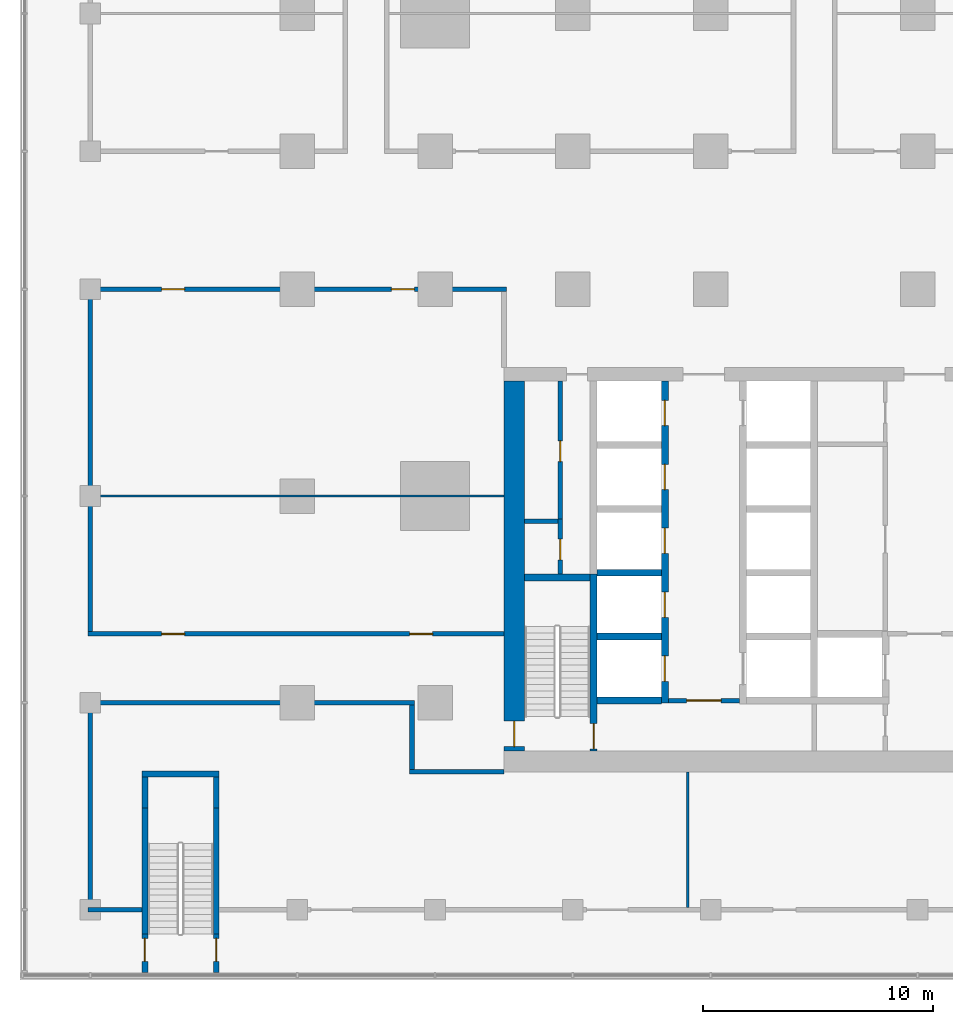
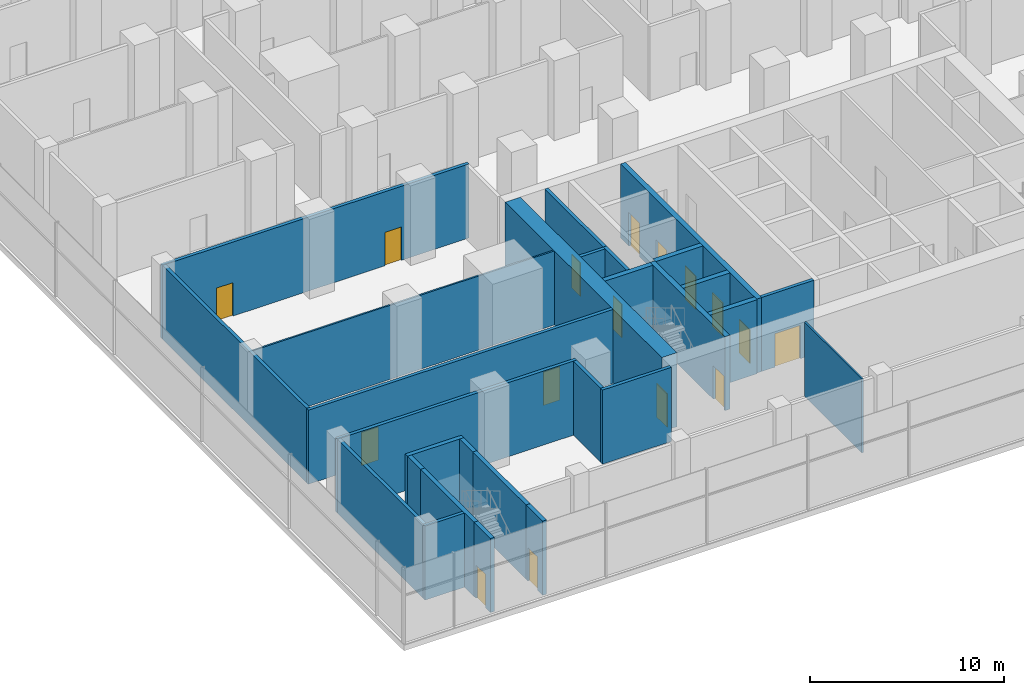
# One storey, part 12 of 22: 28 walls, 16 doors, 16 openings.
"""IFC4 building model written with IfcOpenShell, lengths in metres."""

from ifc_helpers import new_model, si_unit, direction, frame, frame_2d, origin, place, context, subcontext, project, spatial, rectangle, extrude, material, layer, layer_set, type_object, element, fill, save


model = new_model("IFC4")

# Units and contexts
model_context = context("Model", 3, precision=1e-05, world=origin(), true_north=direction((0.0, 1.0)))
body_context = subcontext(model_context, "Body", "Model", "MODEL_VIEW")
ifc_project = project(units=[si_unit("LENGTHUNIT", "METRE"), si_unit("AREAUNIT", "SQUARE_METRE"), si_unit("VOLUMEUNIT", "CUBIC_METRE"), si_unit("PLANEANGLEUNIT", "RADIAN"), si_unit("MASSUNIT", "GRAM", prefix="KILO")], contexts=[model_context])

# Site, building, storey
site_placement = place(None, origin())
site = spatial("IfcSite", under=ifc_project, at=site_placement, CompositionType="ELEMENT")
building_placement = place(site_placement, origin())
building = spatial("IfcBuilding", under=site, at=building_placement, Name="Finial Court Residences", CompositionType="ELEMENT")
storey_placement = place(building_placement, frame((0.0, 0.0, 13.5)))
storey = spatial("IfcBuildingStorey", under=building, at=storey_placement, Name="L02", CompositionType="ELEMENT", Elevation=13.5)

# Wall, opening, door
ifc_material_1 = material(Name="Concrete C80/95", Category="concrete")
ifc_layer_1 = layer(ifc_material_1, 0.89990234375)
ifc_layer_set_1 = layer_set([ifc_layer_1], Name="Core outer wall 900 Concrete C80/95")
wall_type_1 = type_object("IfcWallType", Name="Core outer wall 900 Concrete C80/95", PredefinedType="SHEAR", material=ifc_layer_set_1)
wall_1_placement = place(storey_placement, frame((-13.050048828125, -8.5, 0.0), z_axis=(0.0, 0.0, 1.0), x_axis=(0.0, -1.0, 0.0)))
wall_1 = element("IfcWall", 1, at=wall_1_placement, inside=storey, type_object=wall_type_1, Name="Core outer wall L02-03", PredefinedType="SHEAR", context=body_context, shape_type="SweptSolid", body=[
    extrude(rectangle(XDim=16.10009765625, YDim=0.89990234375, at=frame_2d((8.050048828125, 0.0))), origin(), (0.0, 0.0, 1.0), 4.64990234375),
])
opening_1_placement = place(wall_1_placement, frame((14.800048828125, 0.0, 0.0)))
opening_1 = element("IfcOpeningElement", 2, at=opening_1_placement, cuts=wall_1, Name="Opening L02-C19", PredefinedType="OPENING", context=body_context, shape_type="SweptSolid", body=[
    extrude(rectangle(XDim=1.10009765625, YDim=2.10009765625, at=frame_2d((0.550048828125, 1.050048828125))), frame((0.0, 0.4599609375, 0.0), z_axis=(0.0, -1.0, 0.0), x_axis=(1.0, 0.0, 0.0)), (0.0, 0.0, 1.0), 0.919921875),
])
ifc_material_2 = material(Name="Steel fire door", Category="steel")
door_type_1 = type_object("IfcDoorType", Name="Stair door 1100 x 2100 EI 90", OperationType="NOTDEFINED", PredefinedType="DOOR", material=ifc_material_2)
door_1_placement = place(opening_1_placement, origin())
door_1 = element("IfcDoor", 3, at=door_1_placement, inside=storey, type_object=door_type_1, Name="Stair door L02-C19", OperationType="SINGLE_SWING_RIGHT", OverallHeight=2.10009765625, OverallWidth=1.10009765625, PredefinedType="DOOR", context=body_context, shape_type="SweptSolid", body=[
    extrude(rectangle(XDim=1.10009765625, YDim=2.10009765625, at=frame_2d((0.550048828125, 1.050048828125))), frame((0.0, 0.02490234375, 0.0), z_axis=(0.0, -1.0, 0.0), x_axis=(1.0, 0.0, 0.0)), (0.0, 0.0, 1.0), 0.050048828125),
])
fill(opening_1, door_1)

# Walls
ifc_material_3 = material(Name="Gypsum board")
ifc_layer_2 = layer(ifc_material_3, 0.02490234375)
ifc_material_4 = material(Name="Acoustic mineral wool in double frame")
ifc_layer_3 = layer(ifc_material_4, 0.14990234375)
ifc_layer_4 = layer(ifc_material_3, 0.02490234375)
ifc_layer_set_2 = layer_set([ifc_layer_2, ifc_layer_3, ifc_layer_4], Name="Corridor wall 200, 1 hour")
wall_type_2 = type_object("IfcWallType", Name="Corridor wall 200, 1 hour", PredefinedType="PARTITIONING", material=ifc_layer_set_2)
wall_2_placement = place(storey_placement, frame((-31.60009765625, -31.5, 0.0), z_axis=(0.0, 0.0, 1.0), x_axis=(1.0, 0.0, 0.0)))
element("IfcWall", 4, at=wall_2_placement, inside=storey, type_object=wall_type_2, Name="Partition L02-000", PredefinedType="PARTITIONING", context=body_context, shape_type="SweptSolid", body=[
    extrude(rectangle(XDim=2.35009765625, YDim=0.199951171875, at=frame_2d((1.175048828125, 0.0))), origin(), (0.0, 0.0, 1.0), 4.64990234375),
])
wall_3_placement = place(storey_placement, frame((-17.60009765625, -25.5, 0.0), z_axis=(0.0, 0.0, 1.0), x_axis=(1.0, 0.0, 0.0)))
element("IfcWall", 5, at=wall_3_placement, inside=storey, type_object=wall_type_2, Name="Partition L02-003", PredefinedType="PARTITIONING", context=body_context, shape_type="SweptSolid", body=[
    extrude(rectangle(XDim=4.10009765625, YDim=0.199951171875, at=frame_2d((2.050048828125, 0.0))), origin(), (0.0, 0.0, 1.0), 4.64990234375),
])
wall_4_placement = place(storey_placement, frame((-31.60009765625, -22.5, 0.0), z_axis=(0.0, 0.0, 1.0), x_axis=(1.0, 0.0, 0.0)))
element("IfcWall", 6, at=wall_4_placement, inside=storey, type_object=wall_type_2, Name="Partition L02-006", PredefinedType="PARTITIONING", context=body_context, shape_type="SweptSolid", body=[
    extrude(rectangle(XDim=14.2001953125, YDim=0.199951171875, at=frame_2d((7.10009765625, 0.0))), origin(), (0.0, 0.0, 1.0), 4.64990234375),
])

# Wall, openings, doors
wall_5_placement = place(storey_placement, frame((-31.60009765625, -19.5, 0.0), z_axis=(0.0, 0.0, 1.0), x_axis=(1.0, 0.0, 0.0)))
wall_5 = element("IfcWall", 7, at=wall_5_placement, inside=storey, type_object=wall_type_2, Name="Partition L02-009", PredefinedType="PARTITIONING", context=body_context, shape_type="SweptSolid", body=[
    extrude(rectangle(XDim=18.10009765625, YDim=0.199951171875, at=frame_2d((9.050048828125, 0.0))), origin(), (0.0, 0.0, 1.0), 4.64990234375),
])
opening_2_placement = place(wall_5_placement, frame((3.199951171875, 0.0, 0.0)))
opening_2 = element("IfcOpeningElement", 8, at=opening_2_placement, cuts=wall_5, Name="Opening L02-D010", PredefinedType="OPENING", context=body_context, shape_type="SweptSolid", body=[
    extrude(rectangle(XDim=1.0, YDim=2.10009765625, at=frame_2d((0.5, 1.050048828125))), frame((0.0, 0.10986328125, 0.0), z_axis=(0.0, -1.0, 0.0), x_axis=(1.0, 0.0, 0.0)), (0.0, 0.0, 1.0), 0.219970703125),
])
opening_3_placement = place(wall_5_placement, frame((14.0, 0.0, 0.0)))
opening_3 = element("IfcOpeningElement", 9, at=opening_3_placement, cuts=wall_5, Name="Opening L02-D011", PredefinedType="OPENING", context=body_context, shape_type="SweptSolid", body=[
    extrude(rectangle(XDim=1.0, YDim=2.10009765625, at=frame_2d((0.5, 1.050048828125))), frame((0.0, 0.10986328125, 0.0), z_axis=(0.0, -1.0, 0.0), x_axis=(1.0, 0.0, 0.0)), (0.0, 0.0, 1.0), 0.219970703125),
])
ifc_material_5 = material(Name="Timber door leaf in hollow metal frame", Category="wood")
door_type_2 = type_object("IfcDoorType", Name="Fire door set 1000 x 2100, 30 minutes", OperationType="SINGLE_SWING_LEFT", PredefinedType="DOOR", material=ifc_material_5)
door_2_placement = place(opening_2_placement, origin())
door_2 = element("IfcDoor", 10, at=door_2_placement, inside=storey, type_object=door_type_2, Name="Door L02-D010", OperationType="SINGLE_SWING_RIGHT", OverallHeight=2.10009765625, OverallWidth=1.0, PredefinedType="DOOR", context=body_context, shape_type="SweptSolid", body=[
    extrude(rectangle(XDim=1.0, YDim=2.10009765625, at=frame_2d((0.5, 1.050048828125))), frame((0.0, 0.02490234375, 0.0), z_axis=(0.0, -1.0, 0.0), x_axis=(1.0, 0.0, 0.0)), (0.0, 0.0, 1.0), 0.050048828125),
])
fill(opening_2, door_2)
door_3_placement = place(opening_3_placement, origin())
door_3 = element("IfcDoor", 11, at=door_3_placement, inside=storey, type_object=door_type_2, Name="Door L02-D011", OperationType="SINGLE_SWING_LEFT", OverallHeight=2.10009765625, OverallWidth=1.0, PredefinedType="DOOR", context=body_context, shape_type="SweptSolid", body=[
    extrude(rectangle(XDim=1.0, YDim=2.10009765625, at=frame_2d((0.5, 1.050048828125))), frame((0.0, 0.02490234375, 0.0), z_axis=(0.0, -1.0, 0.0), x_axis=(1.0, 0.0, 0.0)), (0.0, 0.0, 1.0), 0.050048828125),
])
fill(opening_3, door_3)

wall_6_placement = place(storey_placement, frame((-31.60009765625, -4.5, 0.0), z_axis=(0.0, 0.0, 1.0), x_axis=(1.0, 0.0, 0.0)))
wall_6 = element("IfcWall", 12, at=wall_6_placement, inside=storey, type_object=wall_type_2, Name="Partition L02-016", PredefinedType="PARTITIONING", context=body_context, shape_type="SweptSolid", body=[
    extrude(rectangle(XDim=18.2001953125, YDim=0.199951171875, at=frame_2d((9.10009765625, 0.0))), origin(), (0.0, 0.0, 1.0), 4.64990234375),
])
opening_4_placement = place(wall_6_placement, frame((3.199951171875, 0.0, 0.0)))
opening_4 = element("IfcOpeningElement", 13, at=opening_4_placement, cuts=wall_6, Name="Opening L02-D015", PredefinedType="OPENING", context=body_context, shape_type="SweptSolid", body=[
    extrude(rectangle(XDim=1.0, YDim=2.10009765625, at=frame_2d((0.5, 1.050048828125))), frame((0.0, 0.10986328125, 0.0), z_axis=(0.0, -1.0, 0.0), x_axis=(1.0, 0.0, 0.0)), (0.0, 0.0, 1.0), 0.219970703125),
])
opening_5_placement = place(wall_6_placement, frame((13.199951171875, 0.0, 0.0)))
opening_5 = element("IfcOpeningElement", 14, at=opening_5_placement, cuts=wall_6, Name="Opening L02-D016", PredefinedType="OPENING", context=body_context, shape_type="SweptSolid", body=[
    extrude(rectangle(XDim=1.0, YDim=2.10009765625, at=frame_2d((0.5, 1.050048828125))), frame((0.0, 0.10986328125, 0.0), z_axis=(0.0, -1.0, 0.0), x_axis=(1.0, 0.0, 0.0)), (0.0, 0.0, 1.0), 0.219970703125),
])
door_4_placement = place(opening_4_placement, origin())
door_4 = element("IfcDoor", 15, at=door_4_placement, inside=storey, type_object=door_type_2, Name="Door L02-D015", OperationType="SINGLE_SWING_LEFT", OverallHeight=2.10009765625, OverallWidth=1.0, PredefinedType="DOOR", context=body_context, shape_type="SweptSolid", body=[
    extrude(rectangle(XDim=1.0, YDim=2.10009765625, at=frame_2d((0.5, 1.050048828125))), frame((0.0, 0.02490234375, 0.0), z_axis=(0.0, -1.0, 0.0), x_axis=(1.0, 0.0, 0.0)), (0.0, 0.0, 1.0), 0.050048828125),
])
fill(opening_4, door_4)
door_5_placement = place(opening_5_placement, origin())
door_5 = element("IfcDoor", 16, at=door_5_placement, inside=storey, type_object=door_type_2, Name="Door L02-D016", OperationType="SINGLE_SWING_RIGHT", OverallHeight=2.10009765625, OverallWidth=1.0, PredefinedType="DOOR", context=body_context, shape_type="SweptSolid", body=[
    extrude(rectangle(XDim=1.0, YDim=2.10009765625, at=frame_2d((0.5, 1.050048828125))), frame((0.0, 0.02490234375, 0.0), z_axis=(0.0, -1.0, 0.0), x_axis=(1.0, 0.0, 0.0)), (0.0, 0.0, 1.0), 0.050048828125),
])
fill(opening_5, door_5)

# Walls
wall_7_placement = place(storey_placement, frame((-31.5, -31.39990234375, 0.0), z_axis=(0.0, 0.0, 1.0), x_axis=(0.0, 1.0, 0.0)))
element("IfcWall", 17, at=wall_7_placement, inside=storey, type_object=wall_type_2, Name="Partition L02-041", PredefinedType="PARTITIONING", context=body_context, shape_type="SweptSolid", body=[
    extrude(rectangle(XDim=8.7998046875, YDim=0.199951171875, at=frame_2d((4.39990234375, 0.0))), origin(), (0.0, 0.0, 1.0), 4.64990234375),
])
wall_8_placement = place(storey_placement, frame((-31.5, -19.39990234375, 0.0), z_axis=(0.0, 0.0, 1.0), x_axis=(0.0, 1.0, 0.0)))
element("IfcWall", 18, at=wall_8_placement, inside=storey, type_object=wall_type_2, Name="Partition L02-042", PredefinedType="PARTITIONING", context=body_context, shape_type="SweptSolid", body=[
    extrude(rectangle(XDim=14.7998046875, YDim=0.199951171875, at=frame_2d((7.39990234375, 0.0))), origin(), (0.0, 0.0, 1.0), 4.64990234375),
])
wall_9_placement = place(storey_placement, frame((-17.5, -25.39990234375, 0.0), z_axis=(0.0, 0.0, 1.0), x_axis=(0.0, 1.0, 0.0)))
element("IfcWall", 19, at=wall_9_placement, inside=storey, type_object=wall_type_2, Name="Partition L02-047", PredefinedType="PARTITIONING", context=body_context, shape_type="SweptSolid", body=[
    extrude(rectangle(XDim=2.7998046875, YDim=0.199951171875, at=frame_2d((1.39990234375, 0.0))), origin(), (0.0, 0.0, 1.0), 4.64990234375),
])
ifc_layer_5 = layer(ifc_material_3, 0.012451171875)
ifc_material_6 = material(Name="Mineral wool in light-gauge frame")
ifc_layer_6 = layer(ifc_material_6, 0.074951171875)
ifc_layer_7 = layer(ifc_material_3, 0.012451171875)
ifc_layer_set_3 = layer_set([ifc_layer_5, ifc_layer_6, ifc_layer_7], Name="Gypsum board partition 100")
wall_type_3 = type_object("IfcWallType", Name="Gypsum board partition 100", PredefinedType="PARTITIONING", material=ifc_layer_set_3)
wall_10_placement = place(storey_placement, frame((-31.39990234375, -13.5, 0.0), z_axis=(0.0, 0.0, 1.0), x_axis=(1.0, 0.0, 0.0)))
element("IfcWall", 20, at=wall_10_placement, inside=storey, type_object=wall_type_3, Name="Partition L02-014", PredefinedType="PARTITIONING", context=body_context, shape_type="SweptSolid", body=[
    extrude(rectangle(XDim=17.89990234375, YDim=0.10009765625, at=frame_2d((8.949951171875, 0.0))), origin(), (0.0, 0.0, 1.0), 4.64990234375),
])
wall_11_placement = place(storey_placement, frame((-5.5, -31.39990234375, 0.0), z_axis=(0.0, 0.0, 1.0), x_axis=(0.0, 1.0, 0.0)))
element("IfcWall", 21, at=wall_11_placement, inside=storey, type_object=wall_type_3, Name="Partition L02-049", PredefinedType="PARTITIONING", context=body_context, shape_type="SweptSolid", body=[
    extrude(rectangle(XDim=5.89990234375, YDim=0.10009765625, at=frame_2d((2.949951171875, 0.0))), origin(), (0.0, 0.0, 1.0), 4.64990234375),
])
ifc_layer_8 = layer(ifc_material_1, 0.300048828125)
ifc_layer_set_4 = layer_set([ifc_layer_8], Name="Lift shaft and stair wall 300 Concrete C80/95")
wall_type_4 = type_object("IfcWallType", Name="Lift shaft and stair wall 300 Concrete C80/95", PredefinedType="SHEAR", material=ifc_layer_set_4)
for number, where, z_axis, x_axis, name in (
    (22, (-9.449951171875, -22.39990234375, 0.0), (0.0, 0.0, 1.0), (1.0, 0.0, 0.0), "Core wall L02-01"),
    (23, (-9.449951171875, -19.6201171875, 0.0), (0.0, 0.0, 1.0), (1.0, 0.0, 0.0), "Core wall L02-05"),
):
    element("IfcWall", number, at=place(storey_placement, frame(where, z_axis=z_axis, x_axis=x_axis)), inside=storey, type_object=wall_type_4, Name=name, PredefinedType="SHEAR", context=body_context, shape_type="SweptSolid", body=[
        extrude(rectangle(XDim=2.800048828125, YDim=0.300048828125, at=frame_2d((1.39990234375, 0.0))), origin(), (0.0, 0.0, 1.0), 4.64990234375),
    ])
wall_12_placement = place(storey_placement, frame((-12.60009765625, -17.050048828125, 0.0), z_axis=(0.0, 0.0, 1.0), x_axis=(1.0, 0.0, 0.0)))
element("IfcWall", 24, at=wall_12_placement, inside=storey, type_object=wall_type_4, Name="Core wall L02-10", PredefinedType="SHEAR", context=body_context, shape_type="SweptSolid", body=[
    extrude(rectangle(XDim=2.85009765625, YDim=0.300048828125, at=frame_2d((1.425048828125, 0.0))), origin(), (0.0, 0.0, 1.0), 4.64990234375),
])
wall_13_placement = place(storey_placement, frame((-9.449951171875, -16.840087890625, 0.0), z_axis=(0.0, 0.0, 1.0), x_axis=(1.0, 0.0, 0.0)))
element("IfcWall", 25, at=wall_13_placement, inside=storey, type_object=wall_type_4, Name="Core wall L02-12", PredefinedType="SHEAR", context=body_context, shape_type="SweptSolid", body=[
    extrude(rectangle(XDim=2.800048828125, YDim=0.300048828125, at=frame_2d((1.39990234375, 0.0))), origin(), (0.0, 0.0, 1.0), 4.64990234375),
])

# Wall, opening, door
wall_14_placement = place(storey_placement, frame((-9.60009765625, -24.60009765625, 0.0), z_axis=(0.0, 0.0, 1.0), x_axis=(0.0, 1.0, 0.0)))
wall_14 = element("IfcWall", 26, at=wall_14_placement, inside=storey, type_object=wall_type_4, Name="Core wall L02-24", PredefinedType="SHEAR", context=body_context, shape_type="SweptSolid", body=[
    extrude(rectangle(XDim=7.7001953125, YDim=0.300048828125, at=frame_2d((3.85009765625, 0.0))), origin(), (0.0, 0.0, 1.0), 4.64990234375),
])
opening_6_placement = place(wall_14_placement, frame((0.10009765625, 0.0, 0.0)))
opening_6 = element("IfcOpeningElement", 27, at=opening_6_placement, cuts=wall_14, Name="Opening L02-C17", PredefinedType="OPENING", context=body_context, shape_type="SweptSolid", body=[
    extrude(rectangle(XDim=1.10009765625, YDim=2.10009765625, at=frame_2d((0.550048828125, 1.050048828125))), frame((0.0, 0.159912109375, 0.0), z_axis=(0.0, -1.0, 0.0), x_axis=(1.0, 0.0, 0.0)), (0.0, 0.0, 1.0), 0.320068359375),
])
door_6_placement = place(opening_6_placement, origin())
door_6 = element("IfcDoor", 28, at=door_6_placement, inside=storey, type_object=door_type_1, Name="Stair door L02-C17", OperationType="SINGLE_SWING_LEFT", OverallHeight=2.10009765625, OverallWidth=1.10009765625, PredefinedType="DOOR", context=body_context, shape_type="SweptSolid", body=[
    extrude(rectangle(XDim=1.10009765625, YDim=2.10009765625, at=frame_2d((0.550048828125, 1.050048828125))), frame((0.0, 0.02490234375, 0.0), z_axis=(0.0, -1.0, 0.0), x_axis=(1.0, 0.0, 0.0)), (0.0, 0.0, 1.0), 0.050048828125),
])
fill(opening_6, door_6)

# Wall, openings, doors
wall_15_placement = place(storey_placement, frame((-6.5, -22.5, 0.0), z_axis=(0.0, 0.0, 1.0), x_axis=(0.0, 1.0, 0.0)))
wall_15 = element("IfcWall", 29, at=wall_15_placement, inside=storey, type_object=wall_type_4, Name="Core wall L02-26", PredefinedType="SHEAR", context=body_context, shape_type="SweptSolid", body=[
    extrude(rectangle(XDim=14.0, YDim=0.300048828125, at=frame_2d((7.0, 0.0))), origin(), (0.0, 0.0, 1.0), 4.64990234375),
])
opening_7_placement = place(wall_15_placement, frame((0.93994140625, 0.0, 0.0)))
opening_7 = element("IfcOpeningElement", 30, at=opening_7_placement, cuts=wall_15, Name="Opening L02-LD03", PredefinedType="OPENING", context=body_context, shape_type="SweptSolid", body=[
    extrude(rectangle(XDim=1.10009765625, YDim=2.10009765625, at=frame_2d((0.550048828125, 1.050048828125))), frame((0.0, 0.159912109375, 0.0), z_axis=(0.0, -1.0, 0.0), x_axis=(1.0, 0.0, 0.0)), (0.0, 0.0, 1.0), 0.320068359375),
])
opening_8_placement = place(wall_15_placement, frame((3.719970703125, 0.0, 0.0)))
opening_8 = element("IfcOpeningElement", 31, at=opening_8_placement, cuts=wall_15, Name="Opening L02-LD04", PredefinedType="OPENING", context=body_context, shape_type="SweptSolid", body=[
    extrude(rectangle(XDim=1.10009765625, YDim=2.10009765625, at=frame_2d((0.550048828125, 1.050048828125))), frame((0.0, 0.159912109375, 0.0), z_axis=(0.0, -1.0, 0.0), x_axis=(1.0, 0.0, 0.0)), (0.0, 0.0, 1.0), 0.320068359375),
])
opening_9_placement = place(wall_15_placement, frame((6.5, 0.0, 0.0)))
opening_9 = element("IfcOpeningElement", 32, at=opening_9_placement, cuts=wall_15, Name="Opening L02-LD05", PredefinedType="OPENING", context=body_context, shape_type="SweptSolid", body=[
    extrude(rectangle(XDim=1.10009765625, YDim=2.10009765625, at=frame_2d((0.550048828125, 1.050048828125))), frame((0.0, 0.159912109375, 0.0), z_axis=(0.0, -1.0, 0.0), x_axis=(1.0, 0.0, 0.0)), (0.0, 0.0, 1.0), 0.320068359375),
])
opening_10_placement = place(wall_15_placement, frame((9.280029296875, 0.0, 0.0)))
opening_10 = element("IfcOpeningElement", 33, at=opening_10_placement, cuts=wall_15, Name="Opening L02-LD06", PredefinedType="OPENING", context=body_context, shape_type="SweptSolid", body=[
    extrude(rectangle(XDim=1.10009765625, YDim=2.10009765625, at=frame_2d((0.550048828125, 1.050048828125))), frame((0.0, 0.159912109375, 0.0), z_axis=(0.0, -1.0, 0.0), x_axis=(1.0, 0.0, 0.0)), (0.0, 0.0, 1.0), 0.320068359375),
])
opening_11_placement = place(wall_15_placement, frame((12.06005859375, 0.0, 0.0)))
opening_11 = element("IfcOpeningElement", 34, at=opening_11_placement, cuts=wall_15, Name="Opening L02-LD07", PredefinedType="OPENING", context=body_context, shape_type="SweptSolid", body=[
    extrude(rectangle(XDim=1.10009765625, YDim=2.10009765625, at=frame_2d((0.550048828125, 1.050048828125))), frame((0.0, 0.159912109375, 0.0), z_axis=(0.0, -1.0, 0.0), x_axis=(1.0, 0.0, 0.0)), (0.0, 0.0, 1.0), 0.320068359375),
])
ifc_material_7 = material(Name="Stainless steel lift door", Category="steel")
door_type_3 = type_object("IfcDoorType", Name="Lift landing door 1100 x 2100 EI 90", OperationType="DOUBLE_DOOR_SLIDING", PredefinedType="DOOR", material=ifc_material_7)
door_7_placement = place(opening_7_placement, origin())
door_7 = element("IfcDoor", 35, at=door_7_placement, inside=storey, type_object=door_type_3, Name="Lift landing door LR1 L02", OperationType="DOUBLE_DOOR_SLIDING", OverallHeight=2.10009765625, OverallWidth=1.10009765625, PredefinedType="DOOR", context=body_context, shape_type="SweptSolid", body=[
    extrude(rectangle(XDim=1.10009765625, YDim=2.10009765625, at=frame_2d((0.550048828125, 1.050048828125))), frame((0.0, 0.02490234375, 0.0), z_axis=(0.0, -1.0, 0.0), x_axis=(1.0, 0.0, 0.0)), (0.0, 0.0, 1.0), 0.050048828125),
])
fill(opening_7, door_7)
door_8_placement = place(opening_8_placement, origin())
door_8 = element("IfcDoor", 36, at=door_8_placement, inside=storey, type_object=door_type_3, Name="Lift landing door LR2 L02", OperationType="DOUBLE_DOOR_SLIDING", OverallHeight=2.10009765625, OverallWidth=1.10009765625, PredefinedType="DOOR", context=body_context, shape_type="SweptSolid", body=[
    extrude(rectangle(XDim=1.10009765625, YDim=2.10009765625, at=frame_2d((0.550048828125, 1.050048828125))), frame((0.0, 0.02490234375, 0.0), z_axis=(0.0, -1.0, 0.0), x_axis=(1.0, 0.0, 0.0)), (0.0, 0.0, 1.0), 0.050048828125),
])
fill(opening_8, door_8)
door_9_placement = place(opening_9_placement, origin())
door_9 = element("IfcDoor", 37, at=door_9_placement, inside=storey, type_object=door_type_3, Name="Lift landing door LR3 L02", OperationType="DOUBLE_DOOR_SLIDING", OverallHeight=2.10009765625, OverallWidth=1.10009765625, PredefinedType="DOOR", context=body_context, shape_type="SweptSolid", body=[
    extrude(rectangle(XDim=1.10009765625, YDim=2.10009765625, at=frame_2d((0.550048828125, 1.050048828125))), frame((0.0, 0.02490234375, 0.0), z_axis=(0.0, -1.0, 0.0), x_axis=(1.0, 0.0, 0.0)), (0.0, 0.0, 1.0), 0.050048828125),
])
fill(opening_9, door_9)
door_10_placement = place(opening_10_placement, origin())
door_10 = element("IfcDoor", 38, at=door_10_placement, inside=storey, type_object=door_type_3, Name="Lift landing door LR4 L02", OperationType="DOUBLE_DOOR_SLIDING", OverallHeight=2.10009765625, OverallWidth=1.10009765625, PredefinedType="DOOR", context=body_context, shape_type="SweptSolid", body=[
    extrude(rectangle(XDim=1.10009765625, YDim=2.10009765625, at=frame_2d((0.550048828125, 1.050048828125))), frame((0.0, 0.02490234375, 0.0), z_axis=(0.0, -1.0, 0.0), x_axis=(1.0, 0.0, 0.0)), (0.0, 0.0, 1.0), 0.050048828125),
])
fill(opening_10, door_10)
door_11_placement = place(opening_11_placement, origin())
door_11 = element("IfcDoor", 39, at=door_11_placement, inside=storey, type_object=door_type_3, Name="Lift landing door LR5 L02", OperationType="DOUBLE_DOOR_SLIDING", OverallHeight=2.10009765625, OverallWidth=1.10009765625, PredefinedType="DOOR", context=body_context, shape_type="SweptSolid", body=[
    extrude(rectangle(XDim=1.10009765625, YDim=2.10009765625, at=frame_2d((0.550048828125, 1.050048828125))), frame((0.0, 0.02490234375, 0.0), z_axis=(0.0, -1.0, 0.0), x_axis=(1.0, 0.0, 0.0)), (0.0, 0.0, 1.0), 0.050048828125),
])
fill(opening_11, door_11)

# Wall
ifc_material_8 = material(Name="Fire-rated gypsum board partition")
ifc_layer_9 = layer(ifc_material_8, 0.199951171875)
ifc_layer_set_5 = layer_set([ifc_layer_9], Name="Riser room wall 200 EI 120")
wall_type_5 = type_object("IfcWallType", Name="Riser room wall 200 EI 120", PredefinedType="PARTITIONING", material=ifc_layer_set_5)
wall_16_placement = place(storey_placement, frame((-12.60009765625, -14.60009765625, 0.0), z_axis=(0.0, 0.0, 1.0), x_axis=(1.0, 0.0, 0.0)))
element("IfcWall", 40, at=wall_16_placement, inside=storey, type_object=wall_type_5, Name="Core partition L02-15", PredefinedType="PARTITIONING", context=body_context, shape_type="SweptSolid", body=[
    extrude(rectangle(XDim=1.4501953125, YDim=0.199951171875, at=frame_2d((0.72509765625, 0.0))), origin(), (0.0, 0.0, 1.0), 4.64990234375),
])

# Wall, opening, door
wall_17_placement = place(storey_placement, frame((-11.050048828125, -14.699951171875, 0.0), z_axis=(0.0, 0.0, 1.0), x_axis=(0.0, 1.0, 0.0)))
wall_17 = element("IfcWall", 41, at=wall_17_placement, inside=storey, type_object=wall_type_5, Name="Core partition L02-23", PredefinedType="PARTITIONING", context=body_context, shape_type="SweptSolid", body=[
    extrude(rectangle(XDim=6.199951171875, YDim=0.199951171875, at=frame_2d((3.10009765625, 0.0))), origin(), (0.0, 0.0, 1.0), 4.64990234375),
])
opening_12_placement = place(wall_17_placement, frame((2.699951171875, 0.0, 0.0)))
opening_12 = element("IfcOpeningElement", 42, at=opening_12_placement, cuts=wall_17, Name="Opening L02-C07", PredefinedType="OPENING", context=body_context, shape_type="SweptSolid", body=[
    extrude(rectangle(XDim=0.89990234375, YDim=2.10009765625, at=frame_2d((0.449951171875, 1.050048828125))), frame((0.0, 0.10986328125, 0.0), z_axis=(0.0, -1.0, 0.0), x_axis=(1.0, 0.0, 0.0)), (0.0, 0.0, 1.0), 0.219970703125),
])
door_type_4 = type_object("IfcDoorType", Name="Riser room door 900 x 2100 EI 90", OperationType="NOTDEFINED", PredefinedType="DOOR", material=ifc_material_2)
door_12_placement = place(opening_12_placement, origin())
door_12 = element("IfcDoor", 43, at=door_12_placement, inside=storey, type_object=door_type_4, Name="Riser room door L02-C07", OperationType="SINGLE_SWING_LEFT", OverallHeight=2.10009765625, OverallWidth=0.89990234375, PredefinedType="DOOR", context=body_context, shape_type="SweptSolid", body=[
    extrude(rectangle(XDim=0.89990234375, YDim=2.10009765625, at=frame_2d((0.449951171875, 1.050048828125))), frame((0.0, 0.02490234375, 0.0), z_axis=(0.0, -1.0, 0.0), x_axis=(1.0, 0.0, 0.0)), (0.0, 0.0, 1.0), 0.050048828125),
])
fill(opening_12, door_12)

ifc_material_9 = material(Name="Concrete C50/60", Category="concrete")
ifc_layer_10 = layer(ifc_material_9, 0.25)
ifc_layer_set_6 = layer_set([ifc_layer_10], Name="Stair enclosure wall 250 Concrete C50/60")
wall_type_6 = type_object("IfcWallType", Name="Stair enclosure wall 250 Concrete C50/60", PredefinedType="SHEAR", material=ifc_layer_set_6)
wall_18_placement = place(storey_placement, frame((-29.125, -32.550048828125, 0.0), z_axis=(0.0, 0.0, 1.0), x_axis=(0.0, -1.0, 0.0)))
wall_18 = element("IfcWall", 44, at=wall_18_placement, inside=storey, type_object=wall_type_6, Name="Exit Stair 4 enclosure wall L02-W1", PredefinedType="SHEAR", context=body_context, shape_type="SweptSolid", body=[
    extrude(rectangle(XDim=1.68994140625, YDim=0.25, at=frame_2d((0.844970703125, 0.0))), origin(), (0.0, 0.0, 1.0), 4.64990234375),
])
opening_13_placement = place(wall_18_placement, frame((0.199951171875, 0.0, 0.0)))
opening_13 = element("IfcOpeningElement", 45, at=opening_13_placement, cuts=wall_18, Name="Opening L02-S4", PredefinedType="OPENING", context=body_context, shape_type="SweptSolid", body=[
    extrude(rectangle(XDim=1.0, YDim=2.10009765625, at=frame_2d((0.5, 1.050048828125))), frame((0.0, 0.135009765625, 0.0), z_axis=(0.0, -1.0, 0.0), x_axis=(1.0, 0.0, 0.0)), (0.0, 0.0, 1.0), 0.27001953125),
])
door_type_5 = type_object("IfcDoorType", Name="Stair door 1000 x 2100 EI 90", OperationType="NOTDEFINED", PredefinedType="DOOR", material=ifc_material_2)
door_13_placement = place(opening_13_placement, origin())
door_13 = element("IfcDoor", 46, at=door_13_placement, inside=storey, type_object=door_type_5, Name="Exit Stair 4 door L02", OperationType="SINGLE_SWING_RIGHT", OverallHeight=2.10009765625, OverallWidth=1.0, PredefinedType="DOOR", context=body_context, shape_type="SweptSolid", body=[
    extrude(rectangle(XDim=1.0, YDim=2.10009765625, at=frame_2d((0.5, 1.050048828125))), frame((0.0, 0.02490234375, 0.0), z_axis=(0.0, -1.0, 0.0), x_axis=(1.0, 0.0, 0.0)), (0.0, 0.0, 1.0), 0.050048828125),
])
fill(opening_13, door_13)

# Walls
wall_19_placement = place(storey_placement, frame((-29.125, -32.550048828125, 0.0), z_axis=(0.0, 0.0, 1.0), x_axis=(0.0, 1.0, 0.0)))
element("IfcWall", 47, at=wall_19_placement, inside=storey, type_object=wall_type_6, Name="Exit Stair 4 enclosure wall L02-W2", PredefinedType="SHEAR", context=body_context, shape_type="SweptSolid", body=[
    extrude(rectangle(XDim=5.47998046875, YDim=0.25, at=frame_2d((2.739990234375, 0.0))), origin(), (0.0, 0.0, 1.0), 4.64990234375),
])
wall_20_placement = place(storey_placement, frame((-29.125, -27.070068359375, 0.0), z_axis=(0.0, 0.0, 1.0), x_axis=(0.0, 1.0, 0.0)))
element("IfcWall", 48, at=wall_20_placement, inside=storey, type_object=wall_type_6, Name="Exit Stair 4 enclosure wall L02-W3", PredefinedType="SHEAR", context=body_context, shape_type="SweptSolid", body=[
    extrude(rectangle(XDim=1.35009765625, YDim=0.25, at=frame_2d((0.675048828125, 0.0))), origin(), (0.0, 0.0, 1.0), 4.64990234375),
])

# Wall, opening, door
wall_21_placement = place(storey_placement, frame((-26.02490234375, -34.239990234375, 0.0), z_axis=(0.0, 0.0, 1.0), x_axis=(0.0, 1.0, 0.0)))
wall_21 = element("IfcWall", 49, at=wall_21_placement, inside=storey, type_object=wall_type_6, Name="Exit Stair 4 enclosure wall L02-E1", PredefinedType="SHEAR", context=body_context, shape_type="SweptSolid", body=[
    extrude(rectangle(XDim=1.68994140625, YDim=0.25, at=frame_2d((0.844970703125, 0.0))), origin(), (0.0, 0.0, 1.0), 4.64990234375),
])
opening_14_placement = place(wall_21_placement, frame((0.489990234375, 0.0, 0.0)))
opening_14 = element("IfcOpeningElement", 50, at=opening_14_placement, cuts=wall_21, Name="Opening L02-S4E", PredefinedType="OPENING", context=body_context, shape_type="SweptSolid", body=[
    extrude(rectangle(XDim=1.0, YDim=2.10009765625, at=frame_2d((0.5, 1.050048828125))), frame((0.0, 0.135009765625, 0.0), z_axis=(0.0, -1.0, 0.0), x_axis=(1.0, 0.0, 0.0)), (0.0, 0.0, 1.0), 0.27001953125),
])
door_14_placement = place(opening_14_placement, origin())
door_14 = element("IfcDoor", 51, at=door_14_placement, inside=storey, type_object=door_type_5, Name="Exit Stair 4 east door L02", OperationType="SINGLE_SWING_LEFT", OverallHeight=2.10009765625, OverallWidth=1.0, PredefinedType="DOOR", context=body_context, shape_type="SweptSolid", body=[
    extrude(rectangle(XDim=1.0, YDim=2.10009765625, at=frame_2d((0.5, 1.050048828125))), frame((0.0, 0.02490234375, 0.0), z_axis=(0.0, -1.0, 0.0), x_axis=(1.0, 0.0, 0.0)), (0.0, 0.0, 1.0), 0.050048828125),
])
fill(opening_14, door_14)

# Walls
wall_22_placement = place(storey_placement, frame((-26.02490234375, -32.550048828125, 0.0), z_axis=(0.0, 0.0, 1.0), x_axis=(0.0, 1.0, 0.0)))
element("IfcWall", 52, at=wall_22_placement, inside=storey, type_object=wall_type_6, Name="Exit Stair 4 enclosure wall L02-E2", PredefinedType="SHEAR", context=body_context, shape_type="SweptSolid", body=[
    extrude(rectangle(XDim=5.47998046875, YDim=0.25, at=frame_2d((2.739990234375, 0.0))), origin(), (0.0, 0.0, 1.0), 4.64990234375),
])
wall_23_placement = place(storey_placement, frame((-26.02490234375, -27.070068359375, 0.0), z_axis=(0.0, 0.0, 1.0), x_axis=(0.0, 1.0, 0.0)))
element("IfcWall", 53, at=wall_23_placement, inside=storey, type_object=wall_type_6, Name="Exit Stair 4 enclosure wall L02-E3", PredefinedType="SHEAR", context=body_context, shape_type="SweptSolid", body=[
    extrude(rectangle(XDim=1.35009765625, YDim=0.25, at=frame_2d((0.675048828125, 0.0))), origin(), (0.0, 0.0, 1.0), 4.64990234375),
])
wall_24_placement = place(storey_placement, frame((-29.25, -25.594970703125, 0.0), z_axis=(0.0, 0.0, 1.0), x_axis=(1.0, 0.0, 0.0)))
element("IfcWall", 54, at=wall_24_placement, inside=storey, type_object=wall_type_6, Name="Exit Stair 4 enclosure wall L02-N", PredefinedType="SHEAR", context=body_context, shape_type="SweptSolid", body=[
    extrude(rectangle(XDim=3.35009765625, YDim=0.25, at=frame_2d((1.675048828125, 0.0))), origin(), (0.0, 0.0, 1.0), 4.64990234375),
])

# Wall, opening, door
ifc_layer_11 = layer(ifc_material_8, 0.199951171875)
ifc_layer_set_7 = layer_set([ifc_layer_11], Name="Stair passage wall 200 EI 180")
wall_type_7 = type_object("IfcWallType", Name="Stair passage wall 200 EI 180", PredefinedType="PARTITIONING", material=ifc_layer_set_7)
wall_25_placement = place(storey_placement, frame((-3.25, -22.39990234375, 0.0), z_axis=(0.0, 0.0, 1.0), x_axis=(-1.0, 0.0, 0.0)))
wall_25 = element("IfcWall", 55, at=wall_25_placement, inside=storey, type_object=wall_type_7, Name="Core partition L02-02", PredefinedType="PARTITIONING", context=body_context, shape_type="SweptSolid", body=[
    extrude(rectangle(XDim=3.10009765625, YDim=0.199951171875, at=frame_2d((1.550048828125, 0.0))), origin(), (0.0, 0.0, 1.0), 4.64990234375),
])
opening_15_placement = place(wall_25_placement, frame((0.800048828125, 0.0, 0.0)))
opening_15 = element("IfcOpeningElement", 56, at=opening_15_placement, cuts=wall_25, Name="Opening L02-C03", PredefinedType="OPENING", context=body_context, shape_type="SweptSolid", body=[
    extrude(rectangle(XDim=1.5, YDim=2.10009765625, at=frame_2d((0.75, 1.050048828125))), frame((0.0, 0.10986328125, 0.0), z_axis=(0.0, -1.0, 0.0), x_axis=(1.0, 0.0, 0.0)), (0.0, 0.0, 1.0), 0.219970703125),
])
door_type_6 = type_object("IfcDoorType", Name="Lift lobby door 1500 x 2100 EI 60", OperationType="DOUBLE_DOOR_SINGLE_SWING", PredefinedType="DOOR", material=ifc_material_2)
door_15_placement = place(opening_15_placement, origin())
door_15 = element("IfcDoor", 57, at=door_15_placement, inside=storey, type_object=door_type_6, Name="Lift lobby door L02-C03", OperationType="DOUBLE_DOOR_SINGLE_SWING", OverallHeight=2.10009765625, OverallWidth=1.5, PredefinedType="DOOR", context=body_context, shape_type="SweptSolid", body=[
    extrude(rectangle(XDim=1.5, YDim=2.10009765625, at=frame_2d((0.75, 1.050048828125))), frame((0.0, 0.02490234375, 0.0), z_axis=(0.0, -1.0, 0.0), x_axis=(1.0, 0.0, 0.0)), (0.0, 0.0, 1.0), 0.050048828125),
])
fill(opening_15, door_15)

wall_26_placement = place(storey_placement, frame((-11.050048828125, -16.89990234375, 0.0), z_axis=(0.0, 0.0, 1.0), x_axis=(0.0, 1.0, 0.0)))
wall_26 = element("IfcWall", 58, at=wall_26_placement, inside=storey, type_object=wall_type_7, Name="Core partition L02-22", PredefinedType="PARTITIONING", context=body_context, shape_type="SweptSolid", body=[
    extrude(rectangle(XDim=2.39990234375, YDim=0.199951171875, at=frame_2d((1.199951171875, 0.0))), origin(), (0.0, 0.0, 1.0), 4.64990234375),
])
opening_16_placement = place(wall_26_placement, frame((0.625, 0.0, 0.0)))
opening_16 = element("IfcOpeningElement", 59, at=opening_16_placement, cuts=wall_26, Name="Opening L02-C12", PredefinedType="OPENING", context=body_context, shape_type="SweptSolid", body=[
    extrude(rectangle(XDim=0.89990234375, YDim=2.10009765625, at=frame_2d((0.449951171875, 1.050048828125))), frame((0.0, 0.10986328125, 0.0), z_axis=(0.0, -1.0, 0.0), x_axis=(1.0, 0.0, 0.0)), (0.0, 0.0, 1.0), 0.219970703125),
])
door_type_7 = type_object("IfcDoorType", Name="Core room door 900 x 2100 EI 60", OperationType="NOTDEFINED", PredefinedType="DOOR", material=ifc_material_2)
door_16_placement = place(opening_16_placement, origin())
door_16 = element("IfcDoor", 60, at=door_16_placement, inside=storey, type_object=door_type_7, Name="Core room door L02-C12", OperationType="SINGLE_SWING_RIGHT", OverallHeight=2.10009765625, OverallWidth=0.89990234375, PredefinedType="DOOR", context=body_context, shape_type="SweptSolid", body=[
    extrude(rectangle(XDim=0.89990234375, YDim=2.10009765625, at=frame_2d((0.449951171875, 1.050048828125))), frame((0.0, 0.02490234375, 0.0), z_axis=(0.0, -1.0, 0.0), x_axis=(1.0, 0.0, 0.0)), (0.0, 0.0, 1.0), 0.050048828125),
])
fill(opening_16, door_16)

save(model, "model.ifc")
